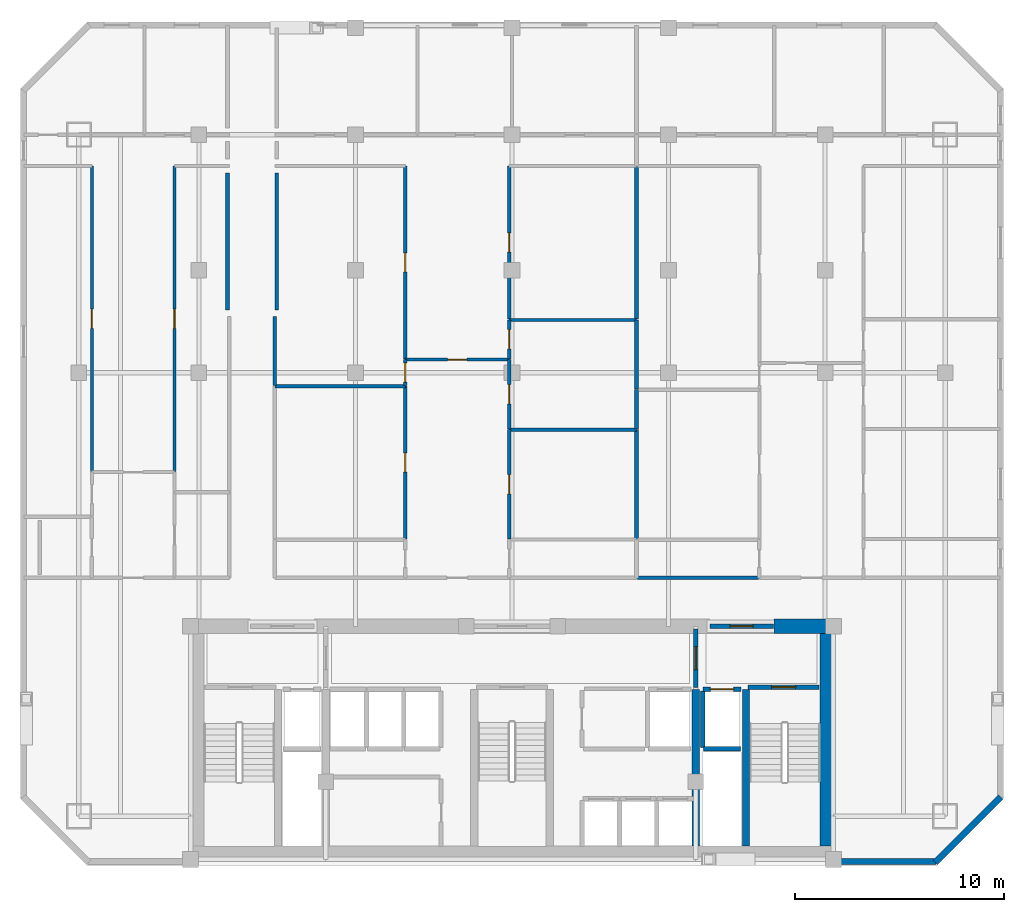
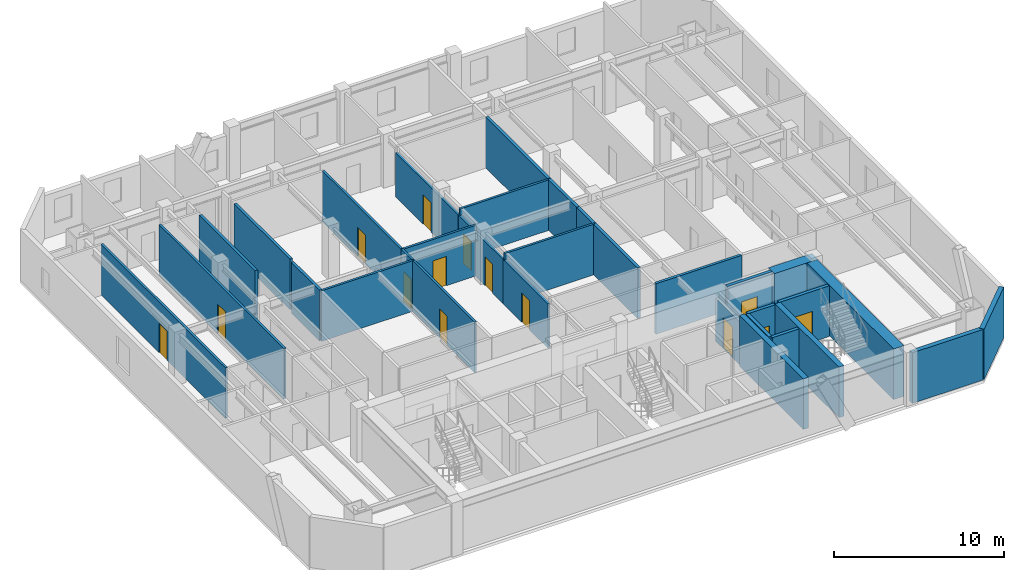
# One storey, part 4 of 8: 33 walls, 14 doors, 14 openings.
"""IFC4 building model written with IfcOpenShell, lengths in metres."""

from ifc_helpers import new_model, si_unit, direction, frame, frame_2d, origin, place, context, subcontext, project, spatial, rectangle, extrude, material, layer, layer_set, type_object, element, fill, save


model = new_model("IFC4")

# Units and contexts
model_context = context("Model", 3, precision=1e-05, world=origin(), true_north=direction((0.0, 1.0)))
body_context = subcontext(model_context, "Body", "Model", "MODEL_VIEW")
ifc_project = project(units=[si_unit("LENGTHUNIT", "METRE"), si_unit("AREAUNIT", "SQUARE_METRE"), si_unit("VOLUMEUNIT", "CUBIC_METRE"), si_unit("PLANEANGLEUNIT", "RADIAN"), si_unit("MASSUNIT", "GRAM", prefix="KILO")], contexts=[model_context])

# Site, building, storey
site_placement = place(None, origin())
site = spatial("IfcSite", under=ifc_project, at=site_placement, CompositionType="ELEMENT")
building_placement = place(site_placement, origin())
building = spatial("IfcBuilding", under=site, at=building_placement, Name="Ventersveld Concourse Tower", CompositionType="ELEMENT")
storey_placement = place(building_placement, frame((0.0, 0.0, 164.449951171875)))
storey = spatial("IfcBuildingStorey", under=building, at=storey_placement, Name="L40", CompositionType="ELEMENT", Elevation=164.449951171875)

# Walls
ifc_material_1 = material(Name="Concrete C60/75", Category="concrete")
ifc_layer_1 = layer(ifc_material_1, 0.35009765625)
ifc_layer_set_1 = layer_set([ifc_layer_1], Name="Concrete C60/75")
wall_type_1 = type_object("IfcWallType", Name="WL-CORE-350L", PredefinedType="SHEAR", material=ifc_layer_set_1)
for number, where, z_axis, x_axis, name in (
    (1, (37.550048828125, 0.919921875, 0.0), (0.0, 0.0, 1.0), (0.0, 1.0, 0.0), "L40 Core Internal Shear Web W-SVL-W"),
    (2, (39.9599609375, 0.919921875, 0.0), (0.0, 0.0, 1.0), (0.0, 1.0, 0.0), "L40 Core Internal Shear Web W-ST2-W"),
):
    element("IfcWall", number, at=place(storey_placement, frame(where, z_axis=z_axis, x_axis=x_axis)), inside=storey, type_object=wall_type_1, Name=name, PredefinedType="SHEAR", context=body_context, shape_type="SweptSolid", body=[
        extrude(rectangle(XDim=7.5, YDim=0.35009765625, at=frame_2d((3.75, 0.0))), origin(), (0.0, 0.0, 1.0), 3.630126953125),
    ])
ifc_layer_2 = layer(ifc_material_1, 0.699951171875)
ifc_layer_set_2 = layer_set([ifc_layer_2], Name="Concrete C60/75")
wall_type_2 = type_object("IfcWallType", Name="WL-CORE-700", PredefinedType="SHEAR", material=ifc_layer_set_2)
wall_1_placement = place(storey_placement, frame((43.85009765625, 0.919921875, 0.0), z_axis=(0.0, 0.0, 1.0), x_axis=(0.0, 1.0, 0.0)))
element("IfcWall", 3, at=wall_1_placement, inside=storey, type_object=wall_type_2, Name="L40 Rear Core East Shear Wall", PredefinedType="SHEAR", context=body_context, shape_type="SweptSolid", body=[
    extrude(rectangle(XDim=10.530029296875, YDim=0.699951171875, at=frame_2d((5.26513671875, 0.0))), origin(), (0.0, 0.0, 1.0), 3.630126953125),
])
wall_2_placement = place(storey_placement, frame((41.300048828125, 11.449951171875, 0.0), z_axis=(0.0, 0.0, 1.0), x_axis=(1.0, 0.0, 0.0)))
element("IfcWall", 4, at=wall_2_placement, inside=storey, type_object=wall_type_2, Name="L40 Rear Core North Shear Wall NE", PredefinedType="SHEAR", context=body_context, shape_type="SweptSolid", body=[
    extrude(rectangle(XDim=2.949951171875, YDim=0.699951171875, at=frame_2d((1.47509765625, 0.0))), origin(), (0.0, 0.0, 1.0), 3.630126953125),
])
ifc_material_2 = material(Name="Fire-rated autoclaved aerated masonry blockwork", Category="masonry")
ifc_layer_3 = layer(ifc_material_2, 0.179931640625)
ifc_layer_set_3 = layer_set([ifc_layer_3], Name="Fire-rated autoclaved aerated masonry blockwork")
wall_type_3 = type_object("IfcWallType", Name="WL-CORR-180", PredefinedType="PARTITIONING", material=ifc_layer_set_3)
wall_3_placement = place(storey_placement, frame((17.389892578125, 22.984619140625, 0.0), z_axis=(0.0, 0.0, 1.0), x_axis=(0.0, 1.0, 0.0)))
element("IfcWall", 5, at=wall_3_placement, inside=storey, type_object=wall_type_3, Name="L40 Interior Partition SP-L40-COR-SP-L40-40N1-DENL2", PredefinedType="PARTITIONING", context=body_context, shape_type="SweptSolid", body=[
    extrude(rectangle(XDim=3.310302734375, YDim=0.179931640625, at=frame_2d((1.6552734375, 0.0))), origin(), (0.0, 0.0, 1.0), 3.630126953125),
])
wall_4_placement = place(storey_placement, frame((34.7548828125, 13.77001953125, 0.0), z_axis=(0.0, 0.0, 1.0), x_axis=(1.0, 0.0, 0.0)))
element("IfcWall", 6, at=wall_4_placement, inside=storey, type_object=wall_type_3, Name="L40 Interior Partition SP-L40-COR-SP-L40-40N2-BATH", PredefinedType="PARTITIONING", context=body_context, shape_type="SweptSolid", body=[
    extrude(rectangle(XDim=5.815185546875, YDim=0.179931640625, at=frame_2d((2.90771484375, 0.0))), origin(), (0.0, 0.0, 1.0), 3.630126953125),
])
for number, where, z_axis, x_axis, name in (
    (7, (15.1201171875, 33.175048828125, 0.0), (0.0, 0.0, 1.0), (0.0, -1.0, 0.0), "L40 Room Enclosure Wall SP-L40-40NW-DENR"),
    (8, (17.47998046875, 26.60986328125, 0.0), (0.0, 0.0, 1.0), (0.0, 1.0, 0.0), "L40 Room Enclosure Wall SP-L40-40N1-DENL2"),
):
    element("IfcWall", number, at=place(storey_placement, frame(where, z_axis=z_axis, x_axis=x_axis)), inside=storey, type_object=wall_type_3, Name=name, PredefinedType="PARTITIONING", context=body_context, shape_type="SweptSolid", body=[
        extrude(rectangle(XDim=6.565185546875, YDim=0.179931640625, at=frame_2d((3.28271484375, 0.0))), origin(), (0.0, 0.0, 1.0), 3.630126953125),
    ])
ifc_layer_4 = layer(ifc_material_2, 0.199951171875)
ifc_layer_set_4 = layer_set([ifc_layer_4], Name="Fire-rated autoclaved aerated masonry blockwork")
wall_type_4 = type_object("IfcWallType", Name="WL-DEMISE-200", PredefinedType="PARTITIONING", material=ifc_layer_set_4)
wall_5_placement = place(storey_placement, frame((34.719970703125, 15.635009765625, 0.0), z_axis=(0.0, 0.0, 1.0), x_axis=(0.0, 1.0, 0.0)))
element("IfcWall", 9, at=wall_5_placement, inside=storey, type_object=wall_type_4, Name="L40 Interior Partition SP-L40-40N1-DENR-SP-L40-40N2-DENL", PredefinedType="PARTITIONING", context=body_context, shape_type="SweptSolid", body=[
    extrude(rectangle(XDim=5.233642578125, YDim=0.199951171875, at=frame_2d((2.61669921875, 0.0))), origin(), (0.0, 0.0, 1.0), 3.630126953125),
])
wall_6_placement = place(storey_placement, frame((34.719970703125, 20.898681640625, 0.0), z_axis=(0.0, 0.0, 1.0), x_axis=(0.0, 1.0, 0.0)))
element("IfcWall", 10, at=wall_6_placement, inside=storey, type_object=wall_type_4, Name="L40 Interior Partition SP-L40-40N1-DENS-SP-L40-40N2-DENL", PredefinedType="PARTITIONING", context=body_context, shape_type="SweptSolid", body=[
    extrude(rectangle(XDim=1.88818359375, YDim=0.199951171875, at=frame_2d((0.944091796875, 0.0))), origin(), (0.0, 0.0, 1.0), 3.630126953125),
])
wall_7_placement = place(storey_placement, frame((34.719970703125, 22.81689453125, 0.0), z_axis=(0.0, 0.0, 1.0), x_axis=(0.0, 1.0, 0.0)))
element("IfcWall", 11, at=wall_7_placement, inside=storey, type_object=wall_type_4, Name="L40 Interior Partition SP-L40-40N1-DENS-SP-L40-40N2-DENL2", PredefinedType="PARTITIONING", context=body_context, shape_type="SweptSolid", body=[
    extrude(rectangle(XDim=3.3154296875, YDim=0.199951171875, at=frame_2d((1.65771484375, 0.0))), origin(), (0.0, 0.0, 1.0), 3.630126953125),
])
wall_8_placement = place(storey_placement, frame((34.719970703125, 26.162353515625, 0.0), z_axis=(0.0, 0.0, 1.0), x_axis=(0.0, 1.0, 0.0)))
element("IfcWall", 12, at=wall_8_placement, inside=storey, type_object=wall_type_4, Name="L40 Interior Partition SP-L40-40N1-DENS2-SP-L40-40N2-DENL2", PredefinedType="PARTITIONING", context=body_context, shape_type="SweptSolid", body=[
    extrude(rectangle(XDim=7.302734375, YDim=0.199951171875, at=frame_2d((3.6513671875, 0.0))), origin(), (0.0, 0.0, 1.0), 3.630126953125),
])
ifc_layer_5 = layer(ifc_material_2, 0.219970703125)
ifc_layer_set_5 = layer_set([ifc_layer_5], Name="Fire-rated autoclaved aerated masonry blockwork")
wall_type_5 = type_object("IfcWallType", Name="WL-HOIST-220", PredefinedType="SOLIDWALL", material=ifc_layer_set_5)
wall_9_placement = place(storey_placement, frame((37.919921875, 5.590087890625, 0.0), z_axis=(0.0, 0.0, 1.0), x_axis=(1.0, 0.0, 0.0)))
element("IfcWall", 13, at=wall_9_placement, inside=storey, type_object=wall_type_5, Name="L40 Lift Hoistway Back Wall FFL-02", PredefinedType="SOLIDWALL", context=body_context, shape_type="SweptSolid", body=[
    extrude(rectangle(XDim=1.780029296875, YDim=0.219970703125, at=frame_2d((0.89013671875, 0.0))), origin(), (0.0, 0.0, 1.0), 3.630126953125),
])
wall_10_placement = place(storey_placement, frame((37.8798828125, 5.64990234375, 0.0), z_axis=(0.0, 0.0, 1.0), x_axis=(0.0, 1.0, 0.0)))
element("IfcWall", 14, at=wall_10_placement, inside=storey, type_object=wall_type_5, Name="L40 Lift Hoistway Side Wall FFL-02W", PredefinedType="SOLIDWALL", context=body_context, shape_type="SweptSolid", body=[
    extrude(rectangle(XDim=2.7001953125, YDim=0.219970703125, at=frame_2d((1.35009765625, 0.0))), origin(), (0.0, 0.0, 1.0), 3.630126953125),
])

# Wall, opening, door
wall_11_placement = place(storey_placement, frame((37.89990234375, 8.429931640625, 0.0), z_axis=(0.0, 0.0, 1.0), x_axis=(1.0, 0.0, 0.0)))
wall_11 = element("IfcWall", 15, at=wall_11_placement, inside=storey, type_object=wall_type_5, Name="L40 Lift Hoistway Front Wall FFL-02", PredefinedType="SOLIDWALL", context=body_context, shape_type="SweptSolid", body=[
    extrude(rectangle(XDim=1.820068359375, YDim=0.219970703125, at=frame_2d((0.91015625, 0.0))), origin(), (0.0, 0.0, 1.0), 3.630126953125),
])
opening_1_placement = place(wall_11_placement, frame((0.35009765625, 0.0, 0.0)))
opening_1 = element("IfcOpeningElement", 16, at=opening_1_placement, cuts=wall_11, Name="Opening LD1", PredefinedType="OPENING", context=body_context, shape_type="SweptSolid", body=[
    extrude(rectangle(XDim=1.1201171875, YDim=2.25, at=frame_2d((0.56005859375, 1.125))), frame((0.0, 0.1201171875, 0.0), z_axis=(0.0, -1.0, 0.0), x_axis=(1.0, 0.0, 0.0)), (0.0, 0.0, 1.0), 0.239990234375),
])
ifc_material_3 = material(Name="Brushed stainless steel 316", Category="steel")
door_type_1 = type_object("IfcDoorType", Name="LD-FF-112", OperationType="SLIDING_TO_LEFT", PredefinedType="DOOR", material=ifc_material_3)
door_1_placement = place(opening_1_placement, origin())
door_1 = element("IfcDoor", 17, at=door_1_placement, inside=storey, type_object=door_type_1, Name="L40 Lift landing door FFL-02 (LD-L40-FFL-02)", OperationType="SLIDING_TO_RIGHT", OverallHeight=2.25, OverallWidth=1.1201171875, PredefinedType="DOOR", context=body_context, shape_type="SweptSolid", body=[
    extrude(rectangle(XDim=1.1201171875, YDim=2.25, at=frame_2d((0.56005859375, 1.125))), frame((0.0, 0.02490234375, 0.0), z_axis=(0.0, -1.0, 0.0), x_axis=(1.0, 0.0, 0.0)), (0.0, 0.0, 1.0), 0.050048828125),
])
fill(opening_1, door_1)

wall_12_placement = place(storey_placement, frame((40.06005859375, 8.52001953125, 0.0), z_axis=(0.0, 0.0, 1.0), x_axis=(1.0, 0.0, 0.0)))
wall_12 = element("IfcWall", 18, at=wall_12_placement, inside=storey, type_object=wall_type_5, Name="L40 Escape Stair ST02 Fire Wall", PredefinedType="SOLIDWALL", context=body_context, shape_type="SweptSolid", body=[
    extrude(rectangle(XDim=3.39990234375, YDim=0.219970703125, at=frame_2d((1.699951171875, 0.0))), origin(), (0.0, 0.0, 1.0), 3.630126953125),
])
opening_2_placement = place(wall_12_placement, frame((1.125, 0.0, 0.0)))
opening_2 = element("IfcOpeningElement", 19, at=opening_2_placement, cuts=wall_12, Name="Opening FD1", PredefinedType="OPENING", context=body_context, shape_type="SweptSolid", body=[
    extrude(rectangle(XDim=1.14990234375, YDim=2.199951171875, at=frame_2d((0.574951171875, 1.10009765625))), frame((0.0, 0.1201171875, 0.0), z_axis=(0.0, -1.0, 0.0), x_axis=(1.0, 0.0, 0.0)), (0.0, 0.0, 1.0), 0.239990234375),
])
ifc_material_4 = material(Name="Galvanised painted steel", Category="steel")
door_type_2 = type_object("IfcDoorType", Name="DR-STAIR-115", OperationType="NOTDEFINED", PredefinedType="DOOR", material=ifc_material_4)
door_2_placement = place(opening_2_placement, origin())
door_2 = element("IfcDoor", 20, at=door_2_placement, inside=storey, type_object=door_type_2, Name="L40 Escape Stair Door ST02 (SD-L40-1945)", OperationType="SINGLE_SWING_RIGHT", OverallHeight=2.199951171875, OverallWidth=1.14990234375, PredefinedType="DOOR", context=body_context, shape_type="SweptSolid", body=[
    extrude(rectangle(XDim=1.14990234375, YDim=2.199951171875, at=frame_2d((0.574951171875, 1.10009765625))), frame((0.0, 0.02490234375, 0.0), z_axis=(0.0, -1.0, 0.0), x_axis=(1.0, 0.0, 0.0)), (0.0, 0.0, 1.0), 0.050048828125),
])
fill(opening_2, door_2)

wall_13_placement = place(storey_placement, frame((37.550048828125, 8.52001953125, 0.0), z_axis=(0.0, 0.0, 1.0), x_axis=(0.0, 1.0, 0.0)))
wall_13 = element("IfcWall", 21, at=wall_13_placement, inside=storey, type_object=wall_type_5, Name="L40 Firefighting Lobby Smoke-Stop Wall FFLE-SEP", PredefinedType="SOLIDWALL", context=body_context, shape_type="SweptSolid", body=[
    extrude(rectangle(XDim=2.800048828125, YDim=0.219970703125, at=frame_2d((1.39990234375, 0.0))), origin(), (0.0, 0.0, 1.0), 3.08544921875),
])
opening_3_placement = place(wall_13_placement, frame((0.85009765625, 0.0, 0.0)))
opening_3 = element("IfcOpeningElement", 22, at=opening_3_placement, cuts=wall_13, Name="Opening FD2", PredefinedType="OPENING", context=body_context, shape_type="SweptSolid", body=[
    extrude(rectangle(XDim=1.10009765625, YDim=2.199951171875, at=frame_2d((0.550048828125, 1.10009765625))), frame((0.0, 0.1201171875, 0.0), z_axis=(0.0, -1.0, 0.0), x_axis=(1.0, 0.0, 0.0)), (0.0, 0.0, 1.0), 0.239990234375),
])
door_type_3 = type_object("IfcDoorType", Name="DR-FFL-110", OperationType="NOTDEFINED", PredefinedType="DOOR", material=ifc_material_4)
door_3_placement = place(opening_3_placement, origin())
door_3 = element("IfcDoor", 23, at=door_3_placement, inside=storey, type_object=door_type_3, Name="L40 Firefighting Lobby Door FFLE-SEP (FD-L40-1948)", OperationType="SINGLE_SWING_RIGHT", OverallHeight=2.199951171875, OverallWidth=1.10009765625, PredefinedType="DOOR", context=body_context, shape_type="SweptSolid", body=[
    extrude(rectangle(XDim=1.10009765625, YDim=2.199951171875, at=frame_2d((0.550048828125, 1.10009765625))), frame((0.0, 0.02490234375, 0.0), z_axis=(0.0, -1.0, 0.0), x_axis=(1.0, 0.0, 0.0)), (0.0, 0.0, 1.0), 0.050048828125),
])
fill(opening_3, door_3)

wall_14_placement = place(storey_placement, frame((38.22998046875, 11.449951171875, 0.0), z_axis=(0.0, 0.0, 1.0), x_axis=(1.0, 0.0, 0.0)))
wall_14 = element("IfcWall", 24, at=wall_14_placement, inside=storey, type_object=wall_type_5, Name="L40 Core North Fire Portal FFLE-OUT", PredefinedType="SOLIDWALL", context=body_context, shape_type="SweptSolid", body=[
    extrude(rectangle(XDim=3.0400390625, YDim=0.219970703125, at=frame_2d((1.52001953125, 0.0))), origin(), (0.0, 0.0, 1.0), 3.630126953125),
])
opening_4_placement = place(wall_14_placement, frame((0.969970703125, 0.0, 0.0)))
opening_4 = element("IfcOpeningElement", 25, at=opening_4_placement, cuts=wall_14, Name="Opening FD2", PredefinedType="OPENING", context=body_context, shape_type="SweptSolid", body=[
    extrude(rectangle(XDim=1.10009765625, YDim=2.199951171875, at=frame_2d((0.550048828125, 1.10009765625))), frame((0.0, 0.1201171875, 0.0), z_axis=(0.0, -1.0, 0.0), x_axis=(1.0, 0.0, 0.0)), (0.0, 0.0, 1.0), 0.239990234375),
])
door_4_placement = place(opening_4_placement, origin())
door_4 = element("IfcDoor", 26, at=door_4_placement, inside=storey, type_object=door_type_3, Name="L40 Core Lobby Fire Door FFLE-OUT (FD-L40-1951)", OperationType="SINGLE_SWING_LEFT", OverallHeight=2.199951171875, OverallWidth=1.10009765625, PredefinedType="DOOR", context=body_context, shape_type="SweptSolid", body=[
    extrude(rectangle(XDim=1.10009765625, YDim=2.199951171875, at=frame_2d((0.550048828125, 1.10009765625))), frame((0.0, 0.02490234375, 0.0), z_axis=(0.0, -1.0, 0.0), x_axis=(1.0, 0.0, 0.0)), (0.0, 0.0, 1.0), 0.050048828125),
])
fill(opening_4, door_4)

ifc_material_5 = material(Name="Autoclaved aerated masonry blockwork", Category="masonry")
ifc_layer_6 = layer(ifc_material_5, 0.14990234375)
ifc_layer_set_6 = layer_set([ifc_layer_6], Name="Autoclaved aerated masonry blockwork")
wall_type_6 = type_object("IfcWallType", Name="WL-INT-150", PredefinedType="PARTITIONING", material=ifc_layer_set_6)
wall_15_placement = place(storey_placement, frame((8.621337890625, 18.868408203125, 0.0), z_axis=(0.0, 0.0, 1.0), x_axis=(0.0, 1.0, 0.0)))
wall_15 = element("IfcWall", 27, at=wall_15_placement, inside=storey, type_object=wall_type_6, Name="L40 Interior Partition SP-L40-40NW-LIV-SP-L40-40NW-OFFL0", PredefinedType="PARTITIONING", context=body_context, shape_type="SweptSolid", body=[
    extrude(rectangle(XDim=14.636474609375, YDim=0.14990234375, at=frame_2d((7.318359375, 0.0))), origin(), (0.0, 0.0, 1.0), 3.630126953125),
])
opening_5_placement = place(wall_15_placement, frame((6.8583984375, 0.0, 0.0)))
opening_5 = element("IfcOpeningElement", 28, at=opening_5_placement, cuts=wall_15, Name="Opening ID1", PredefinedType="OPENING", context=body_context, shape_type="SweptSolid", body=[
    extrude(rectangle(XDim=0.919921875, YDim=2.10009765625, at=frame_2d((0.4599609375, 1.050048828125))), frame((0.0, 0.0849609375, 0.0), z_axis=(0.0, -1.0, 0.0), x_axis=(1.0, 0.0, 0.0)), (0.0, 0.0, 1.0), 0.169921875),
])
ifc_material_6 = material(Name="Solid-core hardwood veneer timber", Category="wood")
door_type_4 = type_object("IfcDoorType", Name="DR-ROOM-092", OperationType="NOTDEFINED", PredefinedType="DOOR", material=ifc_material_6)
door_5_placement = place(opening_5_placement, origin())
door_5 = element("IfcDoor", 29, at=door_5_placement, inside=storey, type_object=door_type_4, Name="L40 Interior Door SP-L40-40NW-LIV to SP-L40-40NW-OFFL0 (D-L40-1961)", OperationType="SINGLE_SWING_LEFT", OverallHeight=2.10009765625, OverallWidth=0.919921875, PredefinedType="DOOR", context=body_context, shape_type="SweptSolid", body=[
    extrude(rectangle(XDim=0.919921875, YDim=2.10009765625, at=frame_2d((0.4599609375, 1.050048828125))), frame((0.0, 0.02490234375, 0.0), z_axis=(0.0, -1.0, 0.0), x_axis=(1.0, 0.0, 0.0)), (0.0, 0.0, 1.0), 0.050048828125),
])
fill(opening_5, door_5)

wall_16_placement = place(storey_placement, frame((12.581298828125, 18.868408203125, 0.0), z_axis=(0.0, 0.0, 1.0), x_axis=(0.0, 1.0, 0.0)))
wall_16 = element("IfcWall", 30, at=wall_16_placement, inside=storey, type_object=wall_type_6, Name="L40 Interior Partition SP-L40-40NW-LIV-SP-L40-40NW-DENR", PredefinedType="PARTITIONING", context=body_context, shape_type="SweptSolid", body=[
    extrude(rectangle(XDim=14.636474609375, YDim=0.14990234375, at=frame_2d((7.318359375, 0.0))), origin(), (0.0, 0.0, 1.0), 3.630126953125),
])
opening_6_placement = place(wall_16_placement, frame((6.8583984375, 0.0, 0.0)))
opening_6 = element("IfcOpeningElement", 31, at=opening_6_placement, cuts=wall_16, Name="Opening ID1", PredefinedType="OPENING", context=body_context, shape_type="SweptSolid", body=[
    extrude(rectangle(XDim=0.919921875, YDim=2.10009765625, at=frame_2d((0.4599609375, 1.050048828125))), frame((0.0, 0.0849609375, 0.0), z_axis=(0.0, -1.0, 0.0), x_axis=(1.0, 0.0, 0.0)), (0.0, 0.0, 1.0), 0.169921875),
])
door_6_placement = place(opening_6_placement, origin())
door_6 = element("IfcDoor", 32, at=door_6_placement, inside=storey, type_object=door_type_4, Name="L40 Interior Door SP-L40-40NW-LIV to SP-L40-40NW-DENR (D-L40-1962)", OperationType="SINGLE_SWING_RIGHT", OverallHeight=2.10009765625, OverallWidth=0.919921875, PredefinedType="DOOR", context=body_context, shape_type="SweptSolid", body=[
    extrude(rectangle(XDim=0.919921875, YDim=2.10009765625, at=frame_2d((0.4599609375, 1.050048828125))), frame((0.0, 0.02490234375, 0.0), z_axis=(0.0, -1.0, 0.0), x_axis=(1.0, 0.0, 0.0)), (0.0, 0.0, 1.0), 0.050048828125),
])
fill(opening_6, door_6)

wall_17_placement = place(storey_placement, frame((23.63134765625, 24.2294921875, 0.0), z_axis=(0.0, 0.0, 1.0), x_axis=(1.0, 0.0, 0.0)))
wall_17 = element("IfcWall", 33, at=wall_17_placement, inside=storey, type_object=wall_type_6, Name="L40 Interior Partition SP-L40-40N1-FOY-SP-L40-40N1-LIV", PredefinedType="PARTITIONING", context=body_context, shape_type="SweptSolid", body=[
    extrude(rectangle(XDim=4.989990234375, YDim=0.14990234375, at=frame_2d((2.4951171875, 0.0))), origin(), (0.0, 0.0, 1.0), 3.630126953125),
])
opening_7_placement = place(wall_17_placement, frame((2.034912109375, 0.0, 0.0)))
opening_7 = element("IfcOpeningElement", 34, at=opening_7_placement, cuts=wall_17, Name="Opening ID1", PredefinedType="OPENING", context=body_context, shape_type="SweptSolid", body=[
    extrude(rectangle(XDim=0.919921875, YDim=2.10009765625, at=frame_2d((0.4599609375, 1.050048828125))), frame((0.0, 0.0849609375, 0.0), z_axis=(0.0, -1.0, 0.0), x_axis=(1.0, 0.0, 0.0)), (0.0, 0.0, 1.0), 0.169921875),
])
door_7_placement = place(opening_7_placement, origin())
door_7 = element("IfcDoor", 35, at=door_7_placement, inside=storey, type_object=door_type_4, Name="L40 Interior Door SP-L40-40N1-FOY to SP-L40-40N1-LIV (D-L40-1965)", OperationType="SINGLE_SWING_LEFT", OverallHeight=2.10009765625, OverallWidth=0.919921875, PredefinedType="DOOR", context=body_context, shape_type="SweptSolid", body=[
    extrude(rectangle(XDim=0.919921875, YDim=2.10009765625, at=frame_2d((0.4599609375, 1.050048828125))), frame((0.0, 0.02490234375, 0.0), z_axis=(0.0, -1.0, 0.0), x_axis=(1.0, 0.0, 0.0)), (0.0, 0.0, 1.0), 0.050048828125),
])
fill(opening_7, door_7)

wall_18_placement = place(storey_placement, frame((23.63623046875, 15.635009765625, 0.0), z_axis=(0.0, 0.0, 1.0), x_axis=(0.0, 1.0, 0.0)))
wall_18 = element("IfcWall", 36, at=wall_18_placement, inside=storey, type_object=wall_type_6, Name="L40 Interior Partition SP-L40-40N1-FOY-SP-L40-40N1-OFFL0", PredefinedType="PARTITIONING", context=body_context, shape_type="SweptSolid", body=[
    extrude(rectangle(XDim=7.319580078125, YDim=0.14990234375, at=frame_2d((3.65966796875, 0.0))), origin(), (0.0, 0.0, 1.0), 3.630126953125),
])
opening_8_placement = place(wall_18_placement, frame((3.19970703125, 0.0, 0.0)))
opening_8 = element("IfcOpeningElement", 37, at=opening_8_placement, cuts=wall_18, Name="Opening ID1", PredefinedType="OPENING", context=body_context, shape_type="SweptSolid", body=[
    extrude(rectangle(XDim=0.919921875, YDim=2.10009765625, at=frame_2d((0.4599609375, 1.050048828125))), frame((0.0, 0.0849609375, 0.0), z_axis=(0.0, -1.0, 0.0), x_axis=(1.0, 0.0, 0.0)), (0.0, 0.0, 1.0), 0.169921875),
])
door_8_placement = place(opening_8_placement, origin())
door_8 = element("IfcDoor", 38, at=door_8_placement, inside=storey, type_object=door_type_4, Name="L40 Interior Door SP-L40-40N1-FOY to SP-L40-40N1-OFFL0 (D-L40-1967)", OperationType="SINGLE_SWING_LEFT", OverallHeight=2.10009765625, OverallWidth=0.919921875, PredefinedType="DOOR", context=body_context, shape_type="SweptSolid", body=[
    extrude(rectangle(XDim=0.919921875, YDim=2.10009765625, at=frame_2d((0.4599609375, 1.050048828125))), frame((0.0, 0.02490234375, 0.0), z_axis=(0.0, -1.0, 0.0), x_axis=(1.0, 0.0, 0.0)), (0.0, 0.0, 1.0), 0.050048828125),
])
fill(opening_8, door_8)

wall_19_placement = place(storey_placement, frame((23.63623046875, 22.984619140625, 0.0), z_axis=(0.0, 0.0, 1.0), x_axis=(0.0, 1.0, 0.0)))
wall_19 = element("IfcWall", 39, at=wall_19_placement, inside=storey, type_object=wall_type_6, Name="L40 Interior Partition SP-L40-40N1-FOY-SP-L40-40N1-DENL2", PredefinedType="PARTITIONING", context=body_context, shape_type="SweptSolid", body=[
    extrude(rectangle(XDim=1.25, YDim=0.14990234375, at=frame_2d((0.625, 0.0))), origin(), (0.0, 0.0, 1.0), 3.630126953125),
])
opening_9_placement = place(wall_19_placement, frame((0.1650390625, 0.0, 0.0)))
opening_9 = element("IfcOpeningElement", 40, at=opening_9_placement, cuts=wall_19, Name="Opening ID1", PredefinedType="OPENING", context=body_context, shape_type="SweptSolid", body=[
    extrude(rectangle(XDim=0.919921875, YDim=2.10009765625, at=frame_2d((0.4599609375, 1.050048828125))), frame((0.0, 0.0849609375, 0.0), z_axis=(0.0, -1.0, 0.0), x_axis=(1.0, 0.0, 0.0)), (0.0, 0.0, 1.0), 0.169921875),
])
door_9_placement = place(opening_9_placement, origin())
door_9 = element("IfcDoor", 41, at=door_9_placement, inside=storey, type_object=door_type_4, Name="L40 Interior Door SP-L40-40N1-FOY to SP-L40-40N1-DENL2 (D-L40-1968)", OperationType="SINGLE_SWING_RIGHT", OverallHeight=2.10009765625, OverallWidth=0.919921875, PredefinedType="DOOR", context=body_context, shape_type="SweptSolid", body=[
    extrude(rectangle(XDim=0.919921875, YDim=2.10009765625, at=frame_2d((0.4599609375, 1.050048828125))), frame((0.0, 0.02490234375, 0.0), z_axis=(0.0, -1.0, 0.0), x_axis=(1.0, 0.0, 0.0)), (0.0, 0.0, 1.0), 0.050048828125),
])
fill(opening_9, door_9)

wall_20_placement = place(storey_placement, frame((28.6162109375, 15.635009765625, 0.0), z_axis=(0.0, 0.0, 1.0), x_axis=(0.0, 1.0, 0.0)))
wall_20 = element("IfcWall", 42, at=wall_20_placement, inside=storey, type_object=wall_type_6, Name="L40 Interior Partition SP-L40-40N1-FOY-SP-L40-40N1-DENR", PredefinedType="PARTITIONING", context=body_context, shape_type="SweptSolid", body=[
    extrude(rectangle(XDim=5.233642578125, YDim=0.14990234375, at=frame_2d((2.61669921875, 0.0))), origin(), (0.0, 0.0, 1.0), 3.1767578125),
])
opening_10_placement = place(wall_20_placement, frame((2.156982421875, 0.0, 0.0)))
opening_10 = element("IfcOpeningElement", 43, at=opening_10_placement, cuts=wall_20, Name="Opening ID1", PredefinedType="OPENING", context=body_context, shape_type="SweptSolid", body=[
    extrude(rectangle(XDim=0.919921875, YDim=2.10009765625, at=frame_2d((0.4599609375, 1.050048828125))), frame((0.0, 0.0849609375, 0.0), z_axis=(0.0, -1.0, 0.0), x_axis=(1.0, 0.0, 0.0)), (0.0, 0.0, 1.0), 0.169921875),
])
door_10_placement = place(opening_10_placement, origin())
door_10 = element("IfcDoor", 44, at=door_10_placement, inside=storey, type_object=door_type_4, Name="L40 Interior Door SP-L40-40N1-FOY to SP-L40-40N1-DENR (D-L40-1970)", OperationType="SINGLE_SWING_RIGHT", OverallHeight=2.10009765625, OverallWidth=0.919921875, PredefinedType="DOOR", context=body_context, shape_type="SweptSolid", body=[
    extrude(rectangle(XDim=0.919921875, YDim=2.10009765625, at=frame_2d((0.4599609375, 1.050048828125))), frame((0.0, 0.02490234375, 0.0), z_axis=(0.0, -1.0, 0.0), x_axis=(1.0, 0.0, 0.0)), (0.0, 0.0, 1.0), 0.050048828125),
])
fill(opening_10, door_10)

wall_21_placement = place(storey_placement, frame((28.6162109375, 20.898681640625, 0.0), z_axis=(0.0, 0.0, 1.0), x_axis=(0.0, 1.0, 0.0)))
wall_21 = element("IfcWall", 45, at=wall_21_placement, inside=storey, type_object=wall_type_6, Name="L40 Interior Partition SP-L40-40N1-FOY-SP-L40-40N1-DENS", PredefinedType="PARTITIONING", context=body_context, shape_type="SweptSolid", body=[
    extrude(rectangle(XDim=3.3359375, YDim=0.14990234375, at=frame_2d((1.66796875, 0.0))), origin(), (0.0, 0.0, 1.0), 3.1767578125),
])
opening_11_placement = place(wall_21_placement, frame((1.2080078125, 0.0, 0.0)))
opening_11 = element("IfcOpeningElement", 46, at=opening_11_placement, cuts=wall_21, Name="Opening ID1", PredefinedType="OPENING", context=body_context, shape_type="SweptSolid", body=[
    extrude(rectangle(XDim=0.919921875, YDim=2.10009765625, at=frame_2d((0.4599609375, 1.050048828125))), frame((0.0, 0.0849609375, 0.0), z_axis=(0.0, -1.0, 0.0), x_axis=(1.0, 0.0, 0.0)), (0.0, 0.0, 1.0), 0.169921875),
])
door_11_placement = place(opening_11_placement, origin())
door_11 = element("IfcDoor", 47, at=door_11_placement, inside=storey, type_object=door_type_4, Name="L40 Interior Door SP-L40-40N1-FOY to SP-L40-40N1-DENS (D-L40-1971)", OperationType="SINGLE_SWING_LEFT", OverallHeight=2.10009765625, OverallWidth=0.919921875, PredefinedType="DOOR", context=body_context, shape_type="SweptSolid", body=[
    extrude(rectangle(XDim=0.919921875, YDim=2.10009765625, at=frame_2d((0.4599609375, 1.050048828125))), frame((0.0, 0.02490234375, 0.0), z_axis=(0.0, -1.0, 0.0), x_axis=(1.0, 0.0, 0.0)), (0.0, 0.0, 1.0), 0.050048828125),
])
fill(opening_11, door_11)

wall_22_placement = place(storey_placement, frame((23.63623046875, 24.2646484375, 0.0), z_axis=(0.0, 0.0, 1.0), x_axis=(0.0, 1.0, 0.0)))
wall_22 = element("IfcWall", 48, at=wall_22_placement, inside=storey, type_object=wall_type_6, Name="L40 Interior Partition SP-L40-40N1-LIV-SP-L40-40N1-DENL2", PredefinedType="PARTITIONING", context=body_context, shape_type="SweptSolid", body=[
    extrude(rectangle(XDim=9.240234375, YDim=0.14990234375, at=frame_2d((4.6201171875, 0.0))), origin(), (0.0, 0.0, 1.0), 3.630126953125),
])
opening_12_placement = place(wall_22_placement, frame((4.16015625, 0.0, 0.0)))
opening_12 = element("IfcOpeningElement", 49, at=opening_12_placement, cuts=wall_22, Name="Opening ID1", PredefinedType="OPENING", context=body_context, shape_type="SweptSolid", body=[
    extrude(rectangle(XDim=0.919921875, YDim=2.10009765625, at=frame_2d((0.4599609375, 1.050048828125))), frame((0.0, 0.0849609375, 0.0), z_axis=(0.0, -1.0, 0.0), x_axis=(1.0, 0.0, 0.0)), (0.0, 0.0, 1.0), 0.169921875),
])
door_12_placement = place(opening_12_placement, origin())
door_12 = element("IfcDoor", 50, at=door_12_placement, inside=storey, type_object=door_type_4, Name="L40 Interior Door SP-L40-40N1-LIV to SP-L40-40N1-DENL2 (D-L40-1972)", OperationType="SINGLE_SWING_RIGHT", OverallHeight=2.10009765625, OverallWidth=0.919921875, PredefinedType="DOOR", context=body_context, shape_type="SweptSolid", body=[
    extrude(rectangle(XDim=0.919921875, YDim=2.10009765625, at=frame_2d((0.4599609375, 1.050048828125))), frame((0.0, 0.02490234375, 0.0), z_axis=(0.0, -1.0, 0.0), x_axis=(1.0, 0.0, 0.0)), (0.0, 0.0, 1.0), 0.050048828125),
])
fill(opening_12, door_12)

wall_23_placement = place(storey_placement, frame((28.6162109375, 24.2646484375, 0.0), z_axis=(0.0, 0.0, 1.0), x_axis=(0.0, 1.0, 0.0)))
wall_23 = element("IfcWall", 51, at=wall_23_placement, inside=storey, type_object=wall_type_6, Name="L40 Interior Partition SP-L40-40N1-LIV-SP-L40-40N1-DENS", PredefinedType="PARTITIONING", context=body_context, shape_type="SweptSolid", body=[
    extrude(rectangle(XDim=1.86767578125, YDim=0.14990234375, at=frame_2d((0.933837890625, 0.0))), origin(), (0.0, 0.0, 1.0), 3.1767578125),
])
opening_13_placement = place(wall_23_placement, frame((0.473876953125, 0.0, 0.0)))
opening_13 = element("IfcOpeningElement", 52, at=opening_13_placement, cuts=wall_23, Name="Opening ID1", PredefinedType="OPENING", context=body_context, shape_type="SweptSolid", body=[
    extrude(rectangle(XDim=0.919921875, YDim=2.10009765625, at=frame_2d((0.4599609375, 1.050048828125))), frame((0.0, 0.0849609375, 0.0), z_axis=(0.0, -1.0, 0.0), x_axis=(1.0, 0.0, 0.0)), (0.0, 0.0, 1.0), 0.169921875),
])
door_13_placement = place(opening_13_placement, origin())
door_13 = element("IfcDoor", 53, at=door_13_placement, inside=storey, type_object=door_type_4, Name="L40 Interior Door SP-L40-40N1-LIV to SP-L40-40N1-DENS (D-L40-1973)", OperationType="SINGLE_SWING_LEFT", OverallHeight=2.10009765625, OverallWidth=0.919921875, PredefinedType="DOOR", context=body_context, shape_type="SweptSolid", body=[
    extrude(rectangle(XDim=0.919921875, YDim=2.10009765625, at=frame_2d((0.4599609375, 1.050048828125))), frame((0.0, 0.02490234375, 0.0), z_axis=(0.0, -1.0, 0.0), x_axis=(1.0, 0.0, 0.0)), (0.0, 0.0, 1.0), 0.050048828125),
])
fill(opening_13, door_13)

wall_24_placement = place(storey_placement, frame((28.6162109375, 26.162353515625, 0.0), z_axis=(0.0, 0.0, 1.0), x_axis=(0.0, 1.0, 0.0)))
wall_24 = element("IfcWall", 54, at=wall_24_placement, inside=storey, type_object=wall_type_6, Name="L40 Interior Partition SP-L40-40N1-LIV-SP-L40-40N1-DENS2", PredefinedType="PARTITIONING", context=body_context, shape_type="SweptSolid", body=[
    extrude(rectangle(XDim=7.342529296875, YDim=0.14990234375, at=frame_2d((3.67138671875, 0.0))), origin(), (0.0, 0.0, 1.0), 3.1767578125),
])
opening_14_placement = place(wall_24_placement, frame((3.211181640625, 0.0, 0.0)))
opening_14 = element("IfcOpeningElement", 55, at=opening_14_placement, cuts=wall_24, Name="Opening ID1", PredefinedType="OPENING", context=body_context, shape_type="SweptSolid", body=[
    extrude(rectangle(XDim=0.919921875, YDim=2.10009765625, at=frame_2d((0.4599609375, 1.050048828125))), frame((0.0, 0.0849609375, 0.0), z_axis=(0.0, -1.0, 0.0), x_axis=(1.0, 0.0, 0.0)), (0.0, 0.0, 1.0), 0.169921875),
])
door_14_placement = place(opening_14_placement, origin())
door_14 = element("IfcDoor", 56, at=door_14_placement, inside=storey, type_object=door_type_4, Name="L40 Interior Door SP-L40-40N1-LIV to SP-L40-40N1-DENS2 (D-L40-1974)", OperationType="SINGLE_SWING_RIGHT", OverallHeight=2.10009765625, OverallWidth=0.919921875, PredefinedType="DOOR", context=body_context, shape_type="SweptSolid", body=[
    extrude(rectangle(XDim=0.919921875, YDim=2.10009765625, at=frame_2d((0.4599609375, 1.050048828125))), frame((0.0, 0.02490234375, 0.0), z_axis=(0.0, -1.0, 0.0), x_axis=(1.0, 0.0, 0.0)), (0.0, 0.0, 1.0), 0.050048828125),
])
fill(opening_14, door_14)

# Walls
wall_25_placement = place(storey_placement, frame((17.385009765625, 22.94970703125, 0.0), z_axis=(0.0, 0.0, 1.0), x_axis=(1.0, 0.0, 0.0)))
element("IfcWall", 57, at=wall_25_placement, inside=storey, type_object=wall_type_6, Name="L40 Interior Partition SP-L40-40N1-OFFL0-SP-L40-40N1-DENL2", PredefinedType="PARTITIONING", context=body_context, shape_type="SweptSolid", body=[
    extrude(rectangle(XDim=6.25634765625, YDim=0.14990234375, at=frame_2d((3.128173828125, 0.0))), origin(), (0.0, 0.0, 1.0), 3.630126953125),
])
for number, where, z_axis, x_axis, name in (
    (58, (28.611328125, 20.86376953125, 0.0), (0.0, 0.0, 1.0), (1.0, 0.0, 0.0), "L40 Interior Partition SP-L40-40N1-DENR-SP-L40-40N1-DENS"),
    (59, (28.611328125, 26.12744140625, 0.0), (0.0, 0.0, 1.0), (1.0, 0.0, 0.0), "L40 Interior Partition SP-L40-40N1-DENS-SP-L40-40N1-DENS2"),
):
    element("IfcWall", number, at=place(storey_placement, frame(where, z_axis=z_axis, x_axis=x_axis)), inside=storey, type_object=wall_type_6, Name=name, PredefinedType="PARTITIONING", context=body_context, shape_type="SweptSolid", body=[
        extrude(rectangle(XDim=6.11376953125, YDim=0.14990234375, at=frame_2d((3.056884765625, 0.0))), origin(), (0.0, 0.0, 1.0), 3.630126953125),
    ])
ifc_material_7 = material(Name="Precast concrete C45/55", Category="concrete")
ifc_layer_7 = layer(ifc_material_7, 0.300048828125)
ifc_layer_set_7 = layer_set([ifc_layer_7], Name="Precast concrete C45/55")
wall_type_7 = type_object("IfcWallType", Name="WL-PREC-300", PredefinedType="SOLIDWALL", material=ifc_layer_set_7)
wall_26_placement = place(storey_placement, frame((44.25, 0.179931640625, 0.0), z_axis=(0.0, 0.0, 1.0), x_axis=(1.0, 0.0, 0.0)))
element("IfcWall", 60, at=wall_26_placement, inside=storey, type_object=wall_type_7, Name="L40 South-East Flank Precast Wall", PredefinedType="SOLIDWALL", context=body_context, shape_type="SweptSolid", body=[
    extrude(rectangle(XDim=4.81005859375, YDim=0.300048828125, at=frame_2d((2.405029296875, 0.0))), origin(), (0.0, 0.0, 1.0), 3.630126953125),
])
wall_27_placement = place(storey_placement, frame((49.022216796875, 0.134521484375, 0.0), z_axis=(0.0, 0.0, 1.0), x_axis=(0.707106781187, 0.707106781187, 0.0)))
element("IfcWall", 61, at=wall_27_placement, inside=storey, type_object=wall_type_7, Name="L40 Highveld Precast Facade Wall E02", PredefinedType="SOLIDWALL", context=body_context, shape_type="SweptSolid", body=[
    extrude(rectangle(XDim=4.4453125, YDim=0.300048828125, at=frame_2d((2.22265625, 0.0))), origin(), (0.0, 0.0, 1.0), 3.630126953125),
])

save(model, "model.ifc")
